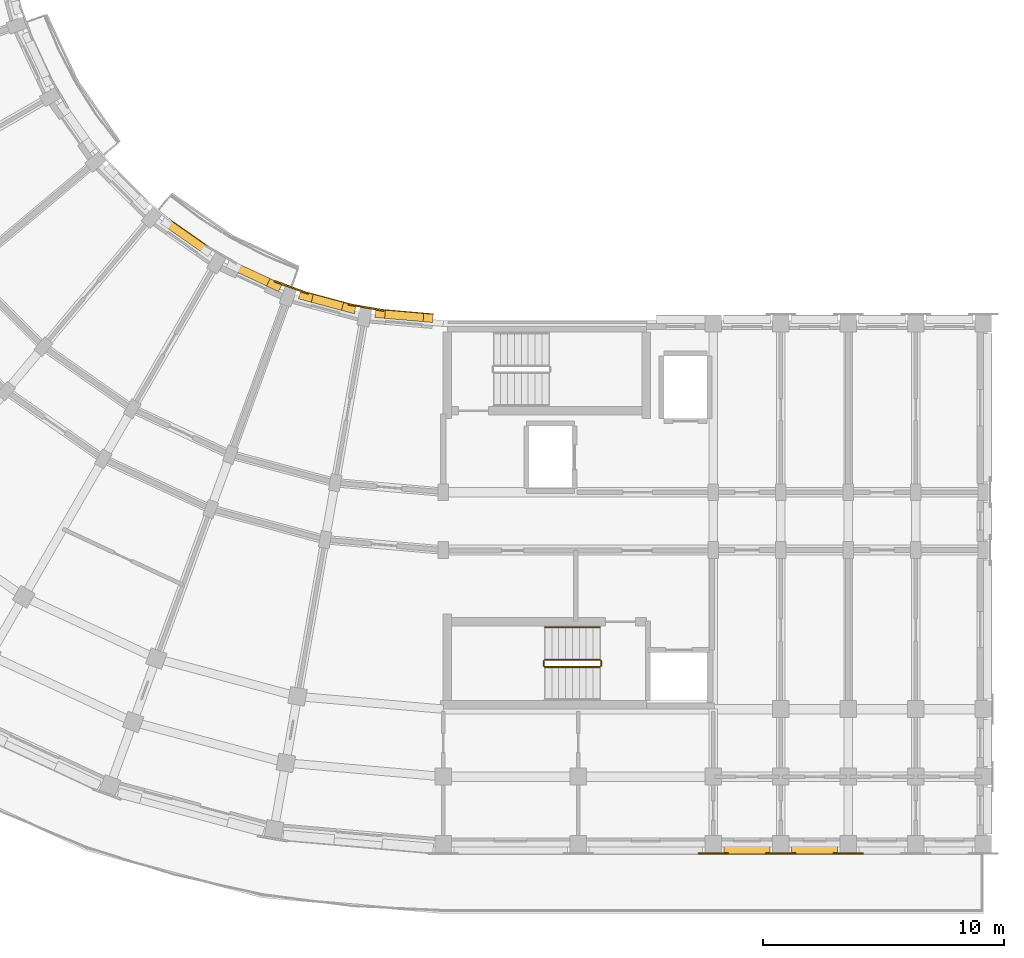
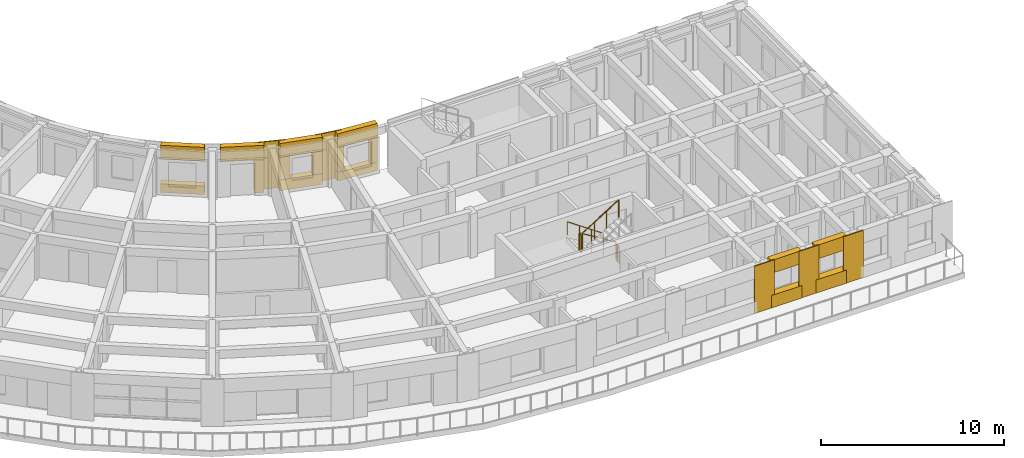
# One storey, part 40 of 57: 21 coverings, 5 railings.
"""IFC4 building model written with IfcOpenShell, lengths in metres."""

from ifc_helpers import new_model, si_unit, direction, frame, origin, origin_2d, place, context, subcontext, project, spatial, polyline, circle, outline, extrude, material, layer, layer_set, type_object, element, save


model = new_model("IFC4")

# Units and contexts
model_context = context("Model", 3, precision=1e-05, world=origin(), true_north=direction((0.0, 1.0)))
body_context = subcontext(model_context, "Body", "Model", "MODEL_VIEW")
ifc_project = project(units=[si_unit("LENGTHUNIT", "METRE"), si_unit("AREAUNIT", "SQUARE_METRE"), si_unit("VOLUMEUNIT", "CUBIC_METRE"), si_unit("PLANEANGLEUNIT", "RADIAN"), si_unit("MASSUNIT", "GRAM", prefix="KILO")], contexts=[model_context])

# Site, building, storey
site_placement = place(None, origin())
site = spatial("IfcSite", under=ifc_project, at=site_placement, CompositionType="ELEMENT")
building_placement = place(site_placement, origin())
building = spatial("IfcBuilding", under=site, at=building_placement, Name="Kiranvali Square Residences", CompositionType="ELEMENT")
storey_placement = place(building_placement, frame((0.0, 0.0, 24.449951171875)))
storey = spatial("IfcBuildingStorey", under=building, at=storey_placement, Name="L07", CompositionType="ELEMENT", Elevation=24.449951171875)

# Coverings
ifc_material_1 = material(Name="Honed Porbandar limestone ashlar facade cladding", Category="masonry")
ifc_layer_1 = layer(ifc_material_1, 0.3798828125)
ifc_layer_set_1 = layer_set([ifc_layer_1], Name="Honed Porbandar limestone ashlar facade cladding")
covering_type_1 = type_object("IfcCoveringType", Name="COV-CLAD-JAMB", PredefinedType="CLADDING", material=ifc_layer_set_1)
covering_1_placement = place(storey_placement, frame((0.0, 0.0, 0.572021484375)))
element("IfcCovering", 1, at=covering_1_placement, inside=storey, type_object=covering_type_1, Name="L07 deep limestone window jamb reveal C-L07-GDN-00.L", PredefinedType="CLADDING", context=body_context, shape_type="SweptSolid", body=[
    extrude(outline(polyline([(47.791259765625, 29.777099609375), (47.394287109375, 29.811767578125), (47.36474609375, 29.4736328125), (47.76171875, 29.43896484375), (47.791259765625, 29.777099609375)])), origin(), (0.0, 0.0, 1.0), 1.650146484375),
])
covering_2_placement = place(storey_placement, frame((0.0, 0.0, 0.572021484375)))
element("IfcCovering", 2, at=covering_2_placement, inside=storey, type_object=covering_type_1, Name="L07 deep limestone window jamb reveal C-L07-GDN-00.R", PredefinedType="CLADDING", context=body_context, shape_type="SweptSolid", body=[
    extrude(outline(polyline([(45.80029296875, 29.951171875), (45.4033203125, 29.986083984375), (45.373779296875, 29.647705078125), (45.770751953125, 29.613037109375), (45.80029296875, 29.951171875)])), origin(), (0.0, 0.0, 1.0), 1.650146484375),
])
covering_3_placement = place(storey_placement, frame((0.0, 0.0, 0.72216796875)))
element("IfcCovering", 3, at=covering_3_placement, inside=storey, type_object=covering_type_1, Name="L07 deep limestone window jamb reveal C-L07-GDN-01.L", PredefinedType="CLADDING", context=body_context, shape_type="SweptSolid", body=[
    extrude(outline(polyline([(44.598388671875, 30.1279296875), (44.068603515625, 30.269775390625), (43.980712890625, 29.94189453125), (44.510498046875, 29.800048828125), (44.598388671875, 30.1279296875)])), origin(), (0.0, 0.0, 1.0), 1.5),
])
covering_4_placement = place(storey_placement, frame((0.0, 0.0, 0.72216796875)))
element("IfcCovering", 4, at=covering_4_placement, inside=storey, type_object=covering_type_1, Name="L07 deep limestone window jamb reveal C-L07-GDN-01.R", PredefinedType="CLADDING", context=body_context, shape_type="SweptSolid", body=[
    extrude(outline(polyline([(42.812744140625, 30.6064453125), (42.282958984375, 30.748291015625), (42.195068359375, 30.42041015625), (42.72509765625, 30.2783203125), (42.812744140625, 30.6064453125)])), origin(), (0.0, 0.0, 1.0), 1.5),
])
covering_5_placement = place(storey_placement, origin())
element("IfcCovering", 5, at=covering_5_placement, inside=storey, type_object=covering_type_1, Name="L07 deep limestone window jamb reveal C-L07-GDN-02.L", PredefinedType="CLADDING", context=body_context, shape_type="SweptSolid", body=[
    extrude(outline(polyline([(41.514892578125, 31.02783203125), (41.017822265625, 31.259765625), (40.874267578125, 30.951904296875), (41.37158203125, 30.72021484375), (41.514892578125, 31.02783203125)])), origin(), (0.0, 0.0, 1.0), 2.179931640625),
])
ifc_layer_2 = layer(ifc_material_1, 0.06494140625)
ifc_layer_set_2 = layer_set([ifc_layer_2], Name="Honed Porbandar limestone ashlar facade cladding")
covering_type_2 = type_object("IfcCoveringType", Name="COV-CLAD-PIER", PredefinedType="CLADDING", material=ifc_layer_set_2)
covering_6_placement = place(storey_placement, frame((0.0, 0.0, 0.005126953125)))
element("IfcCovering", 6, at=covering_6_placement, inside=storey, type_object=covering_type_2, Name="L07 Classical limestone pilaster casing CLAD-PR-C-L07-U112", PredefinedType="CLADDING", context=body_context, shape_type="SweptSolid", body=[
    extrude(outline(polyline([(58.77001953125, 7.382080078125), (60.030029296875, 7.382080078125), (60.030029296875, 7.449462890625), (58.77001953125, 7.449462890625), (58.77001953125, 7.382080078125)])), origin(), (0.0, 0.0, 1.0), 3.139892578125),
])
covering_7_placement = place(storey_placement, frame((0.0, 0.0, 0.005126953125)))
element("IfcCovering", 7, at=covering_7_placement, inside=storey, type_object=covering_type_2, Name="L07 Classical limestone pilaster casing CLAD-PR-C-L07-U140", PredefinedType="CLADDING", context=body_context, shape_type="SweptSolid", body=[
    extrude(outline(polyline([(61.570068359375, 7.382080078125), (62.830078125, 7.382080078125), (62.830078125, 7.449462890625), (61.570068359375, 7.449462890625), (61.570068359375, 7.382080078125)])), origin(), (0.0, 0.0, 1.0), 3.139892578125),
])
covering_8_placement = place(storey_placement, frame((0.0, 0.0, 0.005126953125)))
element("IfcCovering", 8, at=covering_8_placement, inside=storey, type_object=covering_type_2, Name="L07 Classical limestone pilaster casing CLAD-PR-C-L07-U167", PredefinedType="CLADDING", context=body_context, shape_type="SweptSolid", body=[
    extrude(outline(polyline([(64.3701171875, 7.382080078125), (65.6298828125, 7.382080078125), (65.6298828125, 7.449462890625), (64.3701171875, 7.449462890625), (64.3701171875, 7.382080078125)])), origin(), (0.0, 0.0, 1.0), 3.139892578125),
])
ifc_layer_3 = layer(ifc_material_1, 0.050048828125)
ifc_layer_set_3 = layer_set([ifc_layer_3], Name="Honed Porbandar limestone ashlar facade cladding")
covering_type_3 = type_object("IfcCoveringType", Name="COV-CLAD-PIER-IN", PredefinedType="CLADDING", material=ifc_layer_set_3)
covering_9_placement = place(storey_placement, frame((0.0, 0.0, 0.005126953125)))
element("IfcCovering", 9, at=covering_9_placement, inside=storey, type_object=covering_type_3, Name="L07 Classical garden courtyard pilaster CLAD-PRIN-C-L07-A01", PredefinedType="CLADDING", context=body_context, shape_type="SweptSolid", body=[
    extrude(outline(polyline([(45.74658203125, 29.967041015625), (44.269287109375, 30.2275390625), (44.257568359375, 30.1611328125), (45.73486328125, 29.900634765625), (45.74658203125, 29.967041015625)])), origin(), (0.0, 0.0, 1.0), 3.139892578125),
])
covering_10_placement = place(storey_placement, frame((0.0, 0.0, 0.005126953125)))
element("IfcCovering", 10, at=covering_10_placement, inside=storey, type_object=covering_type_3, Name="L07 Classical garden courtyard pilaster CLAD-PRIN-C-L07-A02", PredefinedType="CLADDING", context=body_context, shape_type="SweptSolid", body=[
    extrude(outline(polyline([(42.61767578125, 30.670166015625), (41.208251953125, 31.18310546875), (41.18505859375, 31.11962890625), (42.5947265625, 30.606689453125), (42.61767578125, 30.670166015625)])), origin(), (0.0, 0.0, 1.0), 3.139892578125),
])
ifc_layer_4 = layer(ifc_material_1, 0.360107421875)
ifc_layer_set_4 = layer_set([ifc_layer_4], Name="Honed Porbandar limestone ashlar facade cladding")
covering_type_4 = type_object("IfcCoveringType", Name="COV-CLAD-WALL", PredefinedType="CLADDING", material=ifc_layer_set_4)
covering_11_placement = place(storey_placement, frame((0.0, 0.0, 2.22216796875)))
element("IfcCovering", 11, at=covering_11_placement, inside=storey, type_object=covering_type_4, Name="L07 light limestone spandrel lintel C-L07-GDN-00", PredefinedType="CLADDING", context=body_context, shape_type="SweptSolid", body=[
    extrude(outline(polyline([(47.791259765625, 29.777099609375), (45.4033203125, 29.986083984375), (45.373779296875, 29.647705078125), (47.76171875, 29.43896484375), (47.791259765625, 29.777099609375)])), origin(), (0.0, 0.0, 1.0), 0.9228515625),
])
covering_12_placement = place(storey_placement, frame((0.0, 0.0, 2.22216796875)))
element("IfcCovering", 12, at=covering_12_placement, inside=storey, type_object=covering_type_4, Name="L07 light limestone spandrel lintel C-L07-GDN-01", PredefinedType="CLADDING", context=body_context, shape_type="SweptSolid", body=[
    extrude(outline(polyline([(44.598388671875, 30.1279296875), (42.282958984375, 30.748291015625), (42.195068359375, 30.42041015625), (44.510498046875, 29.800048828125), (44.598388671875, 30.1279296875)])), origin(), (0.0, 0.0, 1.0), 0.9228515625),
])
covering_13_placement = place(storey_placement, frame((0.0, 0.0, 2.179931640625)))
element("IfcCovering", 13, at=covering_13_placement, inside=storey, type_object=covering_type_4, Name="L07 light limestone spandrel lintel C-L07-GDN-02", PredefinedType="CLADDING", context=body_context, shape_type="SweptSolid", body=[
    extrude(outline(polyline([(41.514892578125, 31.02783203125), (39.342529296875, 32.041015625), (39.198974609375, 31.733154296875), (41.37158203125, 30.72021484375), (41.514892578125, 31.02783203125)])), origin(), (0.0, 0.0, 1.0), 0.965087890625),
])
covering_14_placement = place(storey_placement, frame((0.0, 0.0, 2.22216796875)))
element("IfcCovering", 14, at=covering_14_placement, inside=storey, type_object=covering_type_4, Name="L07 light limestone spandrel lintel C-L07-GDN-03", PredefinedType="CLADDING", context=body_context, shape_type="SweptSolid", body=[
    extrude(outline(polyline([(38.634521484375, 32.44970703125), (36.671142578125, 33.824462890625), (36.476318359375, 33.54638671875), (38.43994140625, 32.171630859375), (38.634521484375, 32.44970703125)])), origin(), (0.0, 0.0, 1.0), 0.9228515625),
])
covering_15_placement = place(storey_placement, frame((0.0, 0.0, 2.280029296875)))
element("IfcCovering", 15, at=covering_15_placement, inside=storey, type_object=covering_type_4, Name="L07 light limestone spandrel lintel C-L07-A1O-2", PredefinedType="CLADDING", context=body_context, shape_type="SweptSolid", body=[
    extrude(outline(polyline([(59.840087890625, 7.39990234375), (61.760009765625, 7.39990234375), (61.760009765625, 7.799560546875), (59.840087890625, 7.799560546875), (59.840087890625, 7.39990234375)])), origin(), (0.0, 0.0, 1.0), 0.864990234375),
])
covering_16_placement = place(storey_placement, frame((0.0, 0.0, 0.005126953125)))
element("IfcCovering", 16, at=covering_16_placement, inside=storey, type_object=covering_type_4, Name="L07 limestone window sill apron C-L07-A1O-2", PredefinedType="CLADDING", context=body_context, shape_type="SweptSolid", body=[
    extrude(outline(polyline([(59.840087890625, 7.3701171875), (61.760009765625, 7.3701171875), (61.760009765625, 7.799560546875), (59.840087890625, 7.799560546875), (59.840087890625, 7.3701171875)])), origin(), (0.0, 0.0, 1.0), 0.824951171875),
])
covering_17_placement = place(storey_placement, frame((0.0, 0.0, 2.22998046875)))
element("IfcCovering", 17, at=covering_17_placement, inside=storey, type_object=covering_type_4, Name="L07 light limestone spandrel lintel C-L07-A1O-3", PredefinedType="CLADDING", context=body_context, shape_type="SweptSolid", body=[
    extrude(outline(polyline([(62.639892578125, 7.39990234375), (64.56005859375, 7.39990234375), (64.56005859375, 7.799560546875), (62.639892578125, 7.799560546875), (62.639892578125, 7.39990234375)])), origin(), (0.0, 0.0, 1.0), 0.9150390625),
])
covering_18_placement = place(storey_placement, frame((0.0, 0.0, 0.005126953125)))
element("IfcCovering", 18, at=covering_18_placement, inside=storey, type_object=covering_type_4, Name="L07 limestone window sill apron C-L07-A1O-3", PredefinedType="CLADDING", context=body_context, shape_type="SweptSolid", body=[
    extrude(outline(polyline([(62.639892578125, 7.3701171875), (64.56005859375, 7.3701171875), (64.56005859375, 7.799560546875), (62.639892578125, 7.799560546875), (62.639892578125, 7.3701171875)])), origin(), (0.0, 0.0, 1.0), 0.875),
])
ifc_layer_5 = layer(ifc_material_1, 0.2900390625)
ifc_layer_set_5 = layer_set([ifc_layer_5], Name="Honed Porbandar limestone ashlar facade cladding")
covering_type_5 = type_object("IfcCoveringType", Name="COV-CLAD-WALL-IN", PredefinedType="CLADDING", material=ifc_layer_set_5)
covering_19_placement = place(storey_placement, frame((0.0, 0.0, 0.005126953125)))
element("IfcCovering", 19, at=covering_19_placement, inside=storey, type_object=covering_type_5, Name="L07 limestone window sill apron C-L07-GDN-00", PredefinedType="CLADDING", context=body_context, shape_type="SweptSolid", body=[
    extrude(outline(polyline([(47.7939453125, 29.806884765625), (45.406005859375, 30.015869140625), (45.373779296875, 29.647705078125), (47.76171875, 29.43896484375), (47.7939453125, 29.806884765625)])), origin(), (0.0, 0.0, 1.0), 0.56689453125),
])
covering_20_placement = place(storey_placement, frame((0.0, 0.0, 0.005126953125)))
element("IfcCovering", 20, at=covering_20_placement, inside=storey, type_object=covering_type_5, Name="L07 limestone window sill apron C-L07-GDN-01", PredefinedType="CLADDING", context=body_context, shape_type="SweptSolid", body=[
    extrude(outline(polyline([(44.606201171875, 30.156982421875), (42.290771484375, 30.77734375), (42.195068359375, 30.42041015625), (44.510498046875, 29.800048828125), (44.606201171875, 30.156982421875)])), origin(), (0.0, 0.0, 1.0), 0.717041015625),
])
covering_21_placement = place(storey_placement, frame((0.0, 0.0, 0.005126953125)))
element("IfcCovering", 21, at=covering_21_placement, inside=storey, type_object=covering_type_5, Name="L07 limestone window sill apron C-L07-GDN-03", PredefinedType="CLADDING", context=body_context, shape_type="SweptSolid", body=[
    extrude(outline(polyline([(38.65185546875, 32.47412109375), (36.688232421875, 33.84912109375), (36.476318359375, 33.54638671875), (38.43994140625, 32.171630859375), (38.65185546875, 32.47412109375)])), origin(), (0.0, 0.0, 1.0), 0.56689453125),
])

# Railings
ifc_material_2 = material(Name="Brushed stainless steel tubular handrail", Category="steel")
railing_type_1 = type_object("IfcRailingType", Name="RL-HANDRAIL-900", PredefinedType="HANDRAIL", material=ifc_material_2)
railing_1_placement = place(storey_placement, frame((54.699951171875, 16.800048828125, 0.175048828125)))
element("IfcRailing", 22, at=railing_1_placement, inside=storey, type_object=railing_type_1, Name="L07 ST-C1 stair handrail 1", PredefinedType="HANDRAIL", context=body_context, shape_type="SweptSolid", body=[
    extrude(circle(Radius=0.02392578125, at=origin_2d()), frame((0.0, 0.0, 0.8759765625), z_axis=(-0.82278801735, 0.0, 0.568348377763), x_axis=(0.0, -1.0, 0.0)), (0.0, 0.0, 1.0), 2.77099609375),
    extrude(circle(Radius=0.02099609375, at=origin_2d()), origin(), (0.0, 0.0, 1.0), 0.851806640625),
    extrude(circle(Radius=0.02099609375, at=origin_2d()), frame((-0.760009765625, 0.0, 0.52490234375)), (0.0, 0.0, 1.0), 0.851806640625),
    extrude(circle(Radius=0.02099609375, at=origin_2d()), frame((-1.52001953125, 0.0, 1.050048828125)), (0.0, 0.0, 1.0), 0.851806640625),
    extrude(circle(Radius=0.02099609375, at=origin_2d()), frame((-2.280029296875, 0.0, 1.574951171875)), (0.0, 0.0, 1.0), 0.851806640625),
])
ifc_material_3 = material(Name="Powder-coated architectural bronze balustrade", Category="steel")
railing_type_2 = type_object("IfcRailingType", Name="RL-ST-GUARD-1200", PredefinedType="GUARDRAIL", material=ifc_material_3)
railing_2_placement = place(storey_placement, frame((54.699951171875, 15.449951171875, 0.175048828125)))
element("IfcRailing", 23, at=railing_2_placement, inside=storey, type_object=railing_type_2, Name="L07 ST-C1 stair guard 1", PredefinedType="GUARDRAIL", context=body_context, shape_type="SweptSolid", body=[
    extrude(circle(Radius=0.02392578125, at=origin_2d()), frame((0.0, 0.0, 1.1259765625), z_axis=(-0.852190499154, 0.0, 0.523231643875), x_axis=(0.0, -1.0, 0.0)), (0.0, 0.0, 1.0), 2.675537109375),
    extrude(circle(Radius=0.02099609375, at=origin_2d()), origin(), (0.0, 0.0, 1.0), 1.101806640625),
    extrude(circle(Radius=0.02099609375, at=origin_2d()), frame((-0.760009765625, 0.0, 0.466552734375)), (0.0, 0.0, 1.0), 1.101806640625),
    extrude(circle(Radius=0.02099609375, at=origin_2d()), frame((-1.52001953125, 0.0, 0.933349609375)), (0.0, 0.0, 1.0), 1.101806640625),
    extrude(circle(Radius=0.02099609375, at=origin_2d()), frame((-2.280029296875, 0.0, 1.39990234375)), (0.0, 0.0, 1.0), 1.101806640625),
])
railing_3_placement = place(storey_placement, frame((52.3701171875, 15.39990234375, 1.574951171875)))
element("IfcRailing", 24, at=railing_3_placement, inside=storey, type_object=railing_type_2, Name="L07 ST-C1 stair guard 2", PredefinedType="GUARDRAIL", context=body_context, shape_type="SweptSolid", body=[
    extrude(circle(Radius=0.02392578125, at=origin_2d()), frame((0.0, 0.0, 1.1259765625), z_axis=(0.0, -1.0, 0.0), x_axis=(1.0, 0.0, 0.0)), (0.0, 0.0, 1.0), 0.199951171875),
    extrude(circle(Radius=0.02099609375, at=origin_2d()), origin(), (0.0, 0.0, 1.0), 1.101806640625),
    extrude(circle(Radius=0.02099609375, at=origin_2d()), frame((0.0, -0.199951171875, 0.0)), (0.0, 0.0, 1.0), 1.101806640625),
])
railing_4_placement = place(storey_placement, frame((52.419921875, 15.14990234375, 1.75)))
element("IfcRailing", 25, at=railing_4_placement, inside=storey, type_object=railing_type_2, Name="L07 ST-C1 stair guard 3", PredefinedType="GUARDRAIL", context=body_context, shape_type="SweptSolid", body=[
    extrude(circle(Radius=0.02392578125, at=origin_2d()), frame((0.0, 0.0, 1.1259765625), z_axis=(0.852149810458, 0.0, 0.523297908018), x_axis=(0.0, 1.0, 0.0)), (0.0, 0.0, 1.0), 2.675537109375),
    extrude(circle(Radius=0.02099609375, at=origin_2d()), origin(), (0.0, 0.0, 1.0), 1.101806640625),
    extrude(circle(Radius=0.02099609375, at=origin_2d()), frame((0.760009765625, 0.0, 0.466796875)), (0.0, 0.0, 1.0), 1.101806640625),
    extrude(circle(Radius=0.02099609375, at=origin_2d()), frame((1.52001953125, 0.0, 0.933349609375)), (0.0, 0.0, 1.0), 1.101806640625),
    extrude(circle(Radius=0.02099609375, at=origin_2d()), frame((2.280029296875, 0.0, 1.400146484375)), (0.0, 0.0, 1.0), 1.101806640625),
])
railing_5_placement = place(storey_placement, frame((54.75, 15.39990234375, 0.0)))
element("IfcRailing", 26, at=railing_5_placement, inside=storey, type_object=railing_type_2, Name="L07 ST-C1 stair guard 4", PredefinedType="GUARDRAIL", context=body_context, shape_type="SweptSolid", body=[
    extrude(circle(Radius=0.02392578125, at=origin_2d()), frame((0.0, 0.0, 1.1259765625), z_axis=(0.0, -1.0, 0.0), x_axis=(1.0, 0.0, 0.0)), (0.0, 0.0, 1.0), 0.199951171875),
    extrude(circle(Radius=0.02099609375, at=origin_2d()), origin(), (0.0, 0.0, 1.0), 1.101806640625),
    extrude(circle(Radius=0.02099609375, at=origin_2d()), frame((0.0, -0.199951171875, 0.0)), (0.0, 0.0, 1.0), 1.101806640625),
])

save(model, "model.ifc")
